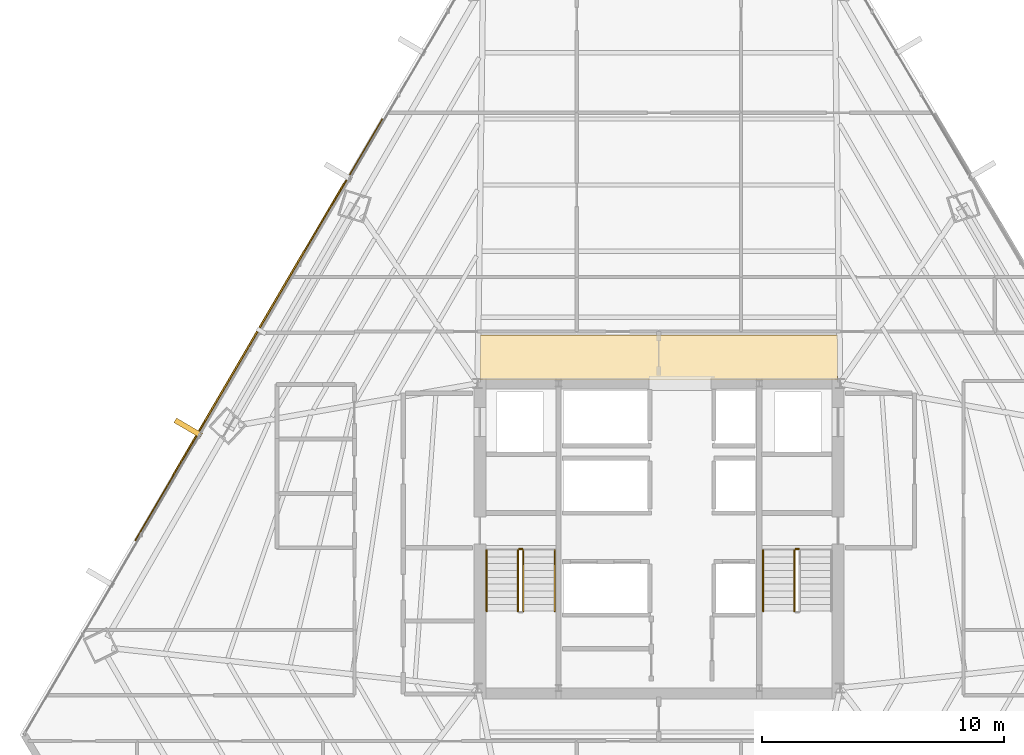
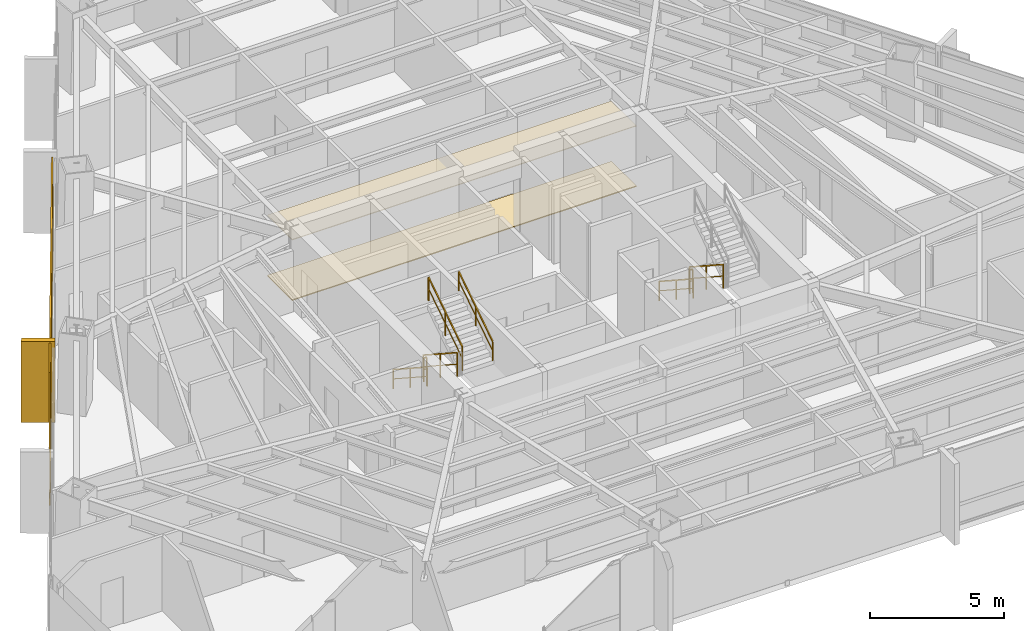
# One storey, part 34 of 35: 8 railings, 4 coverings, 1 shading device.
"""IFC4 building model written with IfcOpenShell, lengths in metres."""

from ifc_helpers import new_model, si_unit, direction, frame, origin, origin_2d, place, context, subcontext, project, spatial, polyline, rectangle, outline, extrude, source, transform, mapped, material, layer, layer_set, type_object, type_shapes, element, save


model = new_model("IFC4")

# Units and contexts
model_context = context("Model", 3, precision=1e-05, world=origin(), true_north=direction((0.0, 1.0)))
body_context = subcontext(model_context, "Body", "Model", "MODEL_VIEW")
ifc_project = project(units=[si_unit("LENGTHUNIT", "METRE"), si_unit("AREAUNIT", "SQUARE_METRE"), si_unit("VOLUMEUNIT", "CUBIC_METRE"), si_unit("PLANEANGLEUNIT", "RADIAN"), si_unit("MASSUNIT", "GRAM", prefix="KILO")], contexts=[model_context])

# Site, building, storey
site_placement = place(None, origin())
site = spatial("IfcSite", under=ifc_project, at=site_placement, CompositionType="ELEMENT")
building_placement = place(site_placement, origin())
building = spatial("IfcBuilding", under=site, at=building_placement, Name="Caelisora Broadcast Tower", CompositionType="ELEMENT")
storey_placement = place(building_placement, frame((0.0, 0.0, 109.050048828125)))
storey = spatial("IfcBuildingStorey", under=building, at=storey_placement, Name="L28", CompositionType="ELEMENT", Elevation=109.050048828125)

# Coverings
ifc_material_1 = material(Name="Perforated Mineral-Fibre Acoustic Ceiling Tile", Category="gypsum")
ifc_layer_1 = layer(ifc_material_1, 0.034912109375, Name="Perforated Mineral-Fibre Acoustic Ceiling Tile")
ifc_layer_set_1 = layer_set([ifc_layer_1], Name="Perforated Mineral-Fibre Acoustic Ceiling Tile")
covering_type_1 = type_object("IfcCoveringType", Name="CE-1", PredefinedType="CEILING", material=ifc_layer_set_1)
covering_1_placement = place(storey_placement, frame((0.0, 0.0, 2.75)))
element("IfcCovering", 1, at=covering_1_placement, inside=storey, type_object=covering_type_1, Name="L28 acoustic corridor ceiling CE-1 (N)", PredefinedType="CEILING", context=body_context, shape_type="SweptSolid", body=[
    extrude(outline(polyline([(30.60009765625, 30.14990234375), (45.39990234375, 30.14990234375), (45.39990234375, 32.0), (30.60009765625, 32.0), (30.60009765625, 30.14990234375)])), origin(), (0.0, 0.0, 1.0), 0.034912109375),
])
ifc_material_2 = material(Name="Anti-Static Broadcast Raised Access Floor Panel", Category="steel")
ifc_layer_2 = layer(ifc_material_2, 0.044921875, Name="Anti-Static Broadcast Raised Access Floor Panel")
ifc_layer_set_2 = layer_set([ifc_layer_2], Name="Anti-Static Broadcast Raised Access Floor Panel")
covering_type_2 = type_object("IfcCoveringType", Name="FL-1", PredefinedType="FLOORING", material=ifc_layer_set_2)
covering_2_placement = place(storey_placement, origin())
element("IfcCovering", 2, at=covering_2_placement, inside=storey, type_object=covering_type_2, Name="L28 broadcast raised access floor FL-1 (N)", PredefinedType="FLOORING", context=body_context, shape_type="SweptSolid", body=[
    extrude(outline(polyline([(30.60009765625, 30.14990234375), (45.39990234375, 30.14990234375), (45.39990234375, 32.0), (30.60009765625, 32.0), (30.60009765625, 30.14990234375)])), origin(), (0.0, 0.0, 1.0), 0.044921875),
])

# Railings
ifc_material_3 = material(Name="Galvanised Steel Safety Guardrail", Category="steel")
ifc_layer_3 = layer(ifc_material_3, 0.048095703125, Name="Galvanised Steel Safety Guardrail")
ifc_layer_set_3 = layer_set([ifc_layer_3], Name="Galvanised Steel Safety Guardrail")
railing_type_1 = type_object("IfcRailingType", Name="GR-1", PredefinedType="GUARDRAIL", material=ifc_layer_set_3)
railing_1_placement = place(storey_placement, frame((32.169921875, 23.10009765625, 0.182373046875)))
element("IfcRailing", 3, at=railing_1_placement, inside=storey, type_object=railing_type_1, Name="L28 ST-1 stair guard 1", PredefinedType="GUARDRAIL", context=body_context, shape_type="SweptSolid", body=[
    extrude(rectangle(XDim=0.048095703125, YDim=0.048095703125, at=origin_2d()), frame((0.0, 0.0, 1.076171875), z_axis=(0.0, -0.837749427056, 0.546054848405), x_axis=(1.0, 0.0, 0.0)), (0.0, 0.0, 1.0), 3.008056640625),
    extrude(rectangle(XDim=0.03125, YDim=0.03125, at=origin_2d()), frame((0.0, 0.0, 0.550048828125), z_axis=(0.0, -0.837749427056, 0.546054848405), x_axis=(1.0, 0.0, 0.0)), (0.0, 0.0, 1.0), 3.008056640625),
    extrude(rectangle(XDim=0.0419921875, YDim=0.0419921875, at=origin_2d()), origin(), (0.0, 0.0, 1.0), 1.052001953125),
    extrude(rectangle(XDim=0.0419921875, YDim=0.0419921875, at=origin_2d()), frame((0.0, -1.260009765625, 0.8212890625)), (0.0, 0.0, 1.0), 1.052001953125),
    extrude(rectangle(XDim=0.0419921875, YDim=0.0419921875, at=origin_2d()), frame((0.0, -2.52001953125, 1.642578125)), (0.0, 0.0, 1.0), 1.052001953125),
])
railing_2_placement = place(storey_placement, frame((32.389892578125, 20.580078125, 2.007568359375)))
element("IfcRailing", 4, at=railing_2_placement, inside=storey, type_object=railing_type_1, Name="L28 ST-1 stair guard 3", PredefinedType="GUARDRAIL", context=body_context, shape_type="SweptSolid", body=[
    extrude(rectangle(XDim=0.048095703125, YDim=0.048095703125, at=origin_2d()), frame((0.0, 0.0, 1.076171875), z_axis=(0.0, 0.837786554691, 0.545997883492), x_axis=(-1.0, 0.0, 0.0)), (0.0, 0.0, 1.0), 3.008056640625),
    extrude(rectangle(XDim=0.03125, YDim=0.03125, at=origin_2d()), frame((0.0, 0.0, 0.550048828125), z_axis=(0.0, 0.837786554691, 0.545997883492), x_axis=(-1.0, 0.0, 0.0)), (0.0, 0.0, 1.0), 3.008056640625),
    extrude(rectangle(XDim=0.0419921875, YDim=0.0419921875, at=origin_2d()), origin(), (0.0, 0.0, 1.0), 1.052001953125),
    extrude(rectangle(XDim=0.0419921875, YDim=0.0419921875, at=origin_2d()), frame((0.0, 1.260009765625, 0.8212890625)), (0.0, 0.0, 1.0), 1.052001953125),
    extrude(rectangle(XDim=0.0419921875, YDim=0.0419921875, at=origin_2d()), frame((0.0, 2.52001953125, 1.642333984375)), (0.0, 0.0, 1.0), 1.052001953125),
])
railing_3_placement = place(storey_placement, frame((32.219970703125, 23.14990234375, 0.0)))
element("IfcRailing", 5, at=railing_3_placement, inside=storey, type_object=railing_type_1, Name="L28 ST-1 stair guard 4", PredefinedType="GUARDRAIL", context=body_context, shape_type="SweptSolid", body=[
    extrude(rectangle(XDim=0.048095703125, YDim=0.048095703125, at=origin_2d()), frame((0.0, 0.0, 1.076171875), z_axis=(1.0, 0.0, 0.0), x_axis=(0.0, 1.0, 0.0)), (0.0, 0.0, 1.0), 0.1201171875),
    extrude(rectangle(XDim=0.03125, YDim=0.03125, at=origin_2d()), frame((0.0, 0.0, 0.550048828125), z_axis=(1.0, 0.0, 0.0), x_axis=(0.0, 1.0, 0.0)), (0.0, 0.0, 1.0), 0.1201171875),
    extrude(rectangle(XDim=0.0419921875, YDim=0.0419921875, at=origin_2d()), origin(), (0.0, 0.0, 1.0), 1.052001953125),
    extrude(rectangle(XDim=0.0419921875, YDim=0.0419921875, at=origin_2d()), frame((0.1201171875, 0.0, 0.0)), (0.0, 0.0, 1.0), 1.052001953125),
])
railing_4_placement = place(storey_placement, frame((43.610107421875, 23.10009765625, 0.182373046875)))
element("IfcRailing", 6, at=railing_4_placement, inside=storey, type_object=railing_type_1, Name="L28 ST-2 stair guard 1", PredefinedType="GUARDRAIL", context=body_context, shape_type="SweptSolid", body=[
    extrude(rectangle(XDim=0.048095703125, YDim=0.048095703125, at=origin_2d()), frame((0.0, 0.0, 1.076171875), z_axis=(0.0, -0.837749427056, 0.546054848405), x_axis=(1.0, 0.0, 0.0)), (0.0, 0.0, 1.0), 3.008056640625),
    extrude(rectangle(XDim=0.03125, YDim=0.03125, at=origin_2d()), frame((0.0, 0.0, 0.550048828125), z_axis=(0.0, -0.837749427056, 0.546054848405), x_axis=(1.0, 0.0, 0.0)), (0.0, 0.0, 1.0), 3.008056640625),
    extrude(rectangle(XDim=0.0419921875, YDim=0.0419921875, at=origin_2d()), origin(), (0.0, 0.0, 1.0), 1.052001953125),
    extrude(rectangle(XDim=0.0419921875, YDim=0.0419921875, at=origin_2d()), frame((0.0, -1.260009765625, 0.8212890625)), (0.0, 0.0, 1.0), 1.052001953125),
    extrude(rectangle(XDim=0.0419921875, YDim=0.0419921875, at=origin_2d()), frame((0.0, -2.52001953125, 1.642578125)), (0.0, 0.0, 1.0), 1.052001953125),
])
railing_5_placement = place(storey_placement, frame((43.659912109375, 23.14990234375, 0.0)))
element("IfcRailing", 7, at=railing_5_placement, inside=storey, type_object=railing_type_1, Name="L28 ST-2 stair guard 4", PredefinedType="GUARDRAIL", context=body_context, shape_type="SweptSolid", body=[
    extrude(rectangle(XDim=0.048095703125, YDim=0.048095703125, at=origin_2d()), frame((0.0, 0.0, 1.076171875), z_axis=(1.0, 0.0, 0.0), x_axis=(0.0, 1.0, 0.0)), (0.0, 0.0, 1.0), 0.1201171875),
    extrude(rectangle(XDim=0.03125, YDim=0.03125, at=origin_2d()), frame((0.0, 0.0, 0.550048828125), z_axis=(1.0, 0.0, 0.0), x_axis=(0.0, 1.0, 0.0)), (0.0, 0.0, 1.0), 0.1201171875),
    extrude(rectangle(XDim=0.0419921875, YDim=0.0419921875, at=origin_2d()), origin(), (0.0, 0.0, 1.0), 1.052001953125),
    extrude(rectangle(XDim=0.0419921875, YDim=0.0419921875, at=origin_2d()), frame((0.1201171875, 0.0, 0.0)), (0.0, 0.0, 1.0), 1.052001953125),
])
ifc_material_4 = material(Name="Stainless Steel Grade 316 Tubular Handrail", Category="steel")
ifc_layer_4 = layer(ifc_material_4, 0.048095703125, Name="Stainless Steel Grade 316 Tubular Handrail")
ifc_layer_set_4 = layer_set([ifc_layer_4], Name="Stainless Steel Grade 316 Tubular Handrail")
railing_type_2 = type_object("IfcRailingType", Name="HR-1", PredefinedType="HANDRAIL", material=ifc_layer_set_4)
railing_6_placement = place(storey_placement, frame((30.8701171875, 23.10009765625, 0.182373046875)))
element("IfcRailing", 8, at=railing_6_placement, inside=storey, type_object=railing_type_2, Name="L28 ST-1 stair handrail 1", PredefinedType="HANDRAIL", context=body_context, shape_type="SweptSolid", body=[
    extrude(rectangle(XDim=0.048095703125, YDim=0.048095703125, at=origin_2d()), frame((0.0, 0.0, 0.8759765625), z_axis=(0.0, -0.837749427056, 0.546054848405), x_axis=(1.0, 0.0, 0.0)), (0.0, 0.0, 1.0), 3.008056640625),
    extrude(rectangle(XDim=0.03125, YDim=0.03125, at=origin_2d()), frame((0.0, 0.0, 0.449951171875), z_axis=(0.0, -0.837749427056, 0.546054848405), x_axis=(1.0, 0.0, 0.0)), (0.0, 0.0, 1.0), 3.008056640625),
    extrude(rectangle(XDim=0.0419921875, YDim=0.0419921875, at=origin_2d()), origin(), (0.0, 0.0, 1.0), 0.851806640625),
    extrude(rectangle(XDim=0.0419921875, YDim=0.0419921875, at=origin_2d()), frame((0.0, -1.260009765625, 0.8212890625)), (0.0, 0.0, 1.0), 0.851806640625),
    extrude(rectangle(XDim=0.0419921875, YDim=0.0419921875, at=origin_2d()), frame((0.0, -2.52001953125, 1.642578125)), (0.0, 0.0, 1.0), 0.851806640625),
])
railing_7_placement = place(storey_placement, frame((33.68994140625, 20.580078125, 2.007568359375)))
element("IfcRailing", 9, at=railing_7_placement, inside=storey, type_object=railing_type_2, Name="L28 ST-1 stair handrail 2", PredefinedType="HANDRAIL", context=body_context, shape_type="SweptSolid", body=[
    extrude(rectangle(XDim=0.048095703125, YDim=0.048095703125, at=origin_2d()), frame((0.0, 0.0, 0.8759765625), z_axis=(0.0, 0.837786554691, 0.545997883492), x_axis=(-1.0, 0.0, 0.0)), (0.0, 0.0, 1.0), 3.008056640625),
    extrude(rectangle(XDim=0.03125, YDim=0.03125, at=origin_2d()), frame((0.0, 0.0, 0.449951171875), z_axis=(0.0, 0.837786554691, 0.545997883492), x_axis=(-1.0, 0.0, 0.0)), (0.0, 0.0, 1.0), 3.008056640625),
    extrude(rectangle(XDim=0.0419921875, YDim=0.0419921875, at=origin_2d()), origin(), (0.0, 0.0, 1.0), 0.851806640625),
    extrude(rectangle(XDim=0.0419921875, YDim=0.0419921875, at=origin_2d()), frame((0.0, 1.260009765625, 0.8212890625)), (0.0, 0.0, 1.0), 0.851806640625),
    extrude(rectangle(XDim=0.0419921875, YDim=0.0419921875, at=origin_2d()), frame((0.0, 2.52001953125, 1.642333984375)), (0.0, 0.0, 1.0), 0.851806640625),
])
railing_8_placement = place(storey_placement, frame((42.31005859375, 23.10009765625, 0.182373046875)))
element("IfcRailing", 10, at=railing_8_placement, inside=storey, type_object=railing_type_2, Name="L28 ST-2 stair handrail 1", PredefinedType="HANDRAIL", context=body_context, shape_type="SweptSolid", body=[
    extrude(rectangle(XDim=0.048095703125, YDim=0.048095703125, at=origin_2d()), frame((0.0, 0.0, 0.8759765625), z_axis=(0.0, -0.837749427056, 0.546054848405), x_axis=(1.0, 0.0, 0.0)), (0.0, 0.0, 1.0), 3.008056640625),
    extrude(rectangle(XDim=0.03125, YDim=0.03125, at=origin_2d()), frame((0.0, 0.0, 0.449951171875), z_axis=(0.0, -0.837749427056, 0.546054848405), x_axis=(1.0, 0.0, 0.0)), (0.0, 0.0, 1.0), 3.008056640625),
    extrude(rectangle(XDim=0.0419921875, YDim=0.0419921875, at=origin_2d()), origin(), (0.0, 0.0, 1.0), 0.851806640625),
    extrude(rectangle(XDim=0.0419921875, YDim=0.0419921875, at=origin_2d()), frame((0.0, -1.260009765625, 0.8212890625)), (0.0, 0.0, 1.0), 0.851806640625),
    extrude(rectangle(XDim=0.0419921875, YDim=0.0419921875, at=origin_2d()), frame((0.0, -2.52001953125, 1.642578125)), (0.0, 0.0, 1.0), 0.851806640625),
])

# Covering
ifc_material_5 = material(Name="Kiln-Fired Terracotta Spandrel Rainscreen Cladding", Category="ceramic")
ifc_layer_5 = layer(ifc_material_5, 0.044921875, Name="Kiln-Fired Terracotta Spandrel Rainscreen Cladding")
ifc_layer_set_5 = layer_set([ifc_layer_5], Name="Kiln-Fired Terracotta Spandrel Rainscreen Cladding")
covering_type_3 = type_object("IfcCoveringType", Name="CL-1", PredefinedType="CLADDING", material=ifc_layer_set_5)
shared_shape_1 = source(origin(), body_context, "Body", "SweptSolid", [
    extrude(rectangle(XDim=0.219970703125, YDim=1.25, at=origin_2d()), origin(), (0.0, 0.0, 1.0), 3.68994140625),
])
covering_3_placement = place(storey_placement, frame((18.523681640625, 28.161376953125, -0.02001953125), z_axis=(0.0, 0.0, 1.0), x_axis=(0.505582083675, 0.862778509623, 0.0)))
element("IfcCovering", 11, at=covering_3_placement, inside=storey, type_object=covering_type_3, Name="L28 vertical solar fin cladding #3-2", PredefinedType="CLADDING", context=body_context, shape_type="MappedRepresentation", body=[
    mapped(shared_shape_1, transform((0.0, 0.0, 0.0), scale=1.0)),
])

# Shading device
ifc_material_6 = material(Name="Perforated Glazed Terracotta Baguette Solar Screen", Category="ceramic")
ifc_layer_6 = layer(ifc_material_6, 0.06494140625, Name="Perforated Glazed Terracotta Baguette Solar Screen")
ifc_layer_set_6 = layer_set([ifc_layer_6], Name="Perforated Glazed Terracotta Baguette Solar Screen")
shading_device_type = type_object("IfcShadingDeviceType", Name="SS-1", PredefinedType="USERDEFINED", material=ifc_layer_set_6)
shared_shape_2 = source(origin(), body_context, "Body", "SweptSolid", [
    extrude(rectangle(XDim=14.0048828125, YDim=0.06494140625, at=origin_2d()), origin(), (0.0, 0.0, 1.0), 3.590087890625),
])
type_shapes(shading_device_type, [shared_shape_2])
shading_device_placement = place(storey_placement, frame((21.430419921875, 32.23291015625, 0.0), z_axis=(0.0, 0.0, 1.0), x_axis=(-0.505582083675, -0.862778509623, 0.0)))
element("IfcShadingDevice", 12, at=shading_device_placement, inside=storey, type_object=shading_device_type, Name="L28 perforated terracotta solar screen #1", ObjectType="SOLAR SCREEN", PredefinedType="USERDEFINED", context=body_context, shape_type="MappedRepresentation", body=[
    mapped(shared_shape_2, transform((0.0, 0.0, 0.0), scale=1.0)),
])

# Covering
shared_shape_3 = source(origin(), body_context, "Body", "SweptSolid", [
    extrude(rectangle(XDim=20.22900390625, YDim=0.044921875, at=origin_2d()), origin(), (0.0, 0.0, 1.0), 0.340087890625),
])
type_shapes(covering_type_3, [shared_shape_1, shared_shape_3])
covering_4_placement = place(storey_placement, frame((21.44775390625, 32.22265625, -0.27001953125), z_axis=(0.0, 0.0, 1.0), x_axis=(-0.505582083675, -0.862778509623, 0.0)))
element("IfcCovering", 13, at=covering_4_placement, inside=storey, type_object=covering_type_3, Name="L28 terracotta spandrel rainscreen #1", PredefinedType="CLADDING", context=body_context, shape_type="MappedRepresentation", body=[
    mapped(shared_shape_3, transform((0.0, 0.0, 0.0), scale=1.0)),
])

save(model, "model.ifc")
